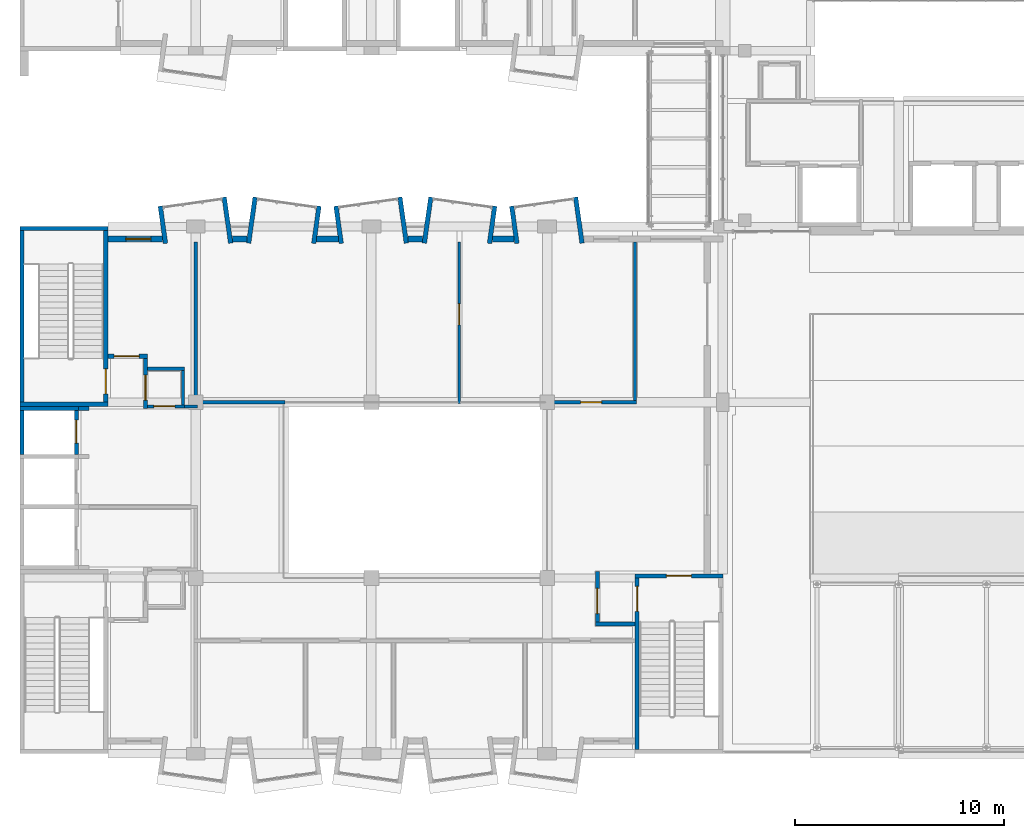
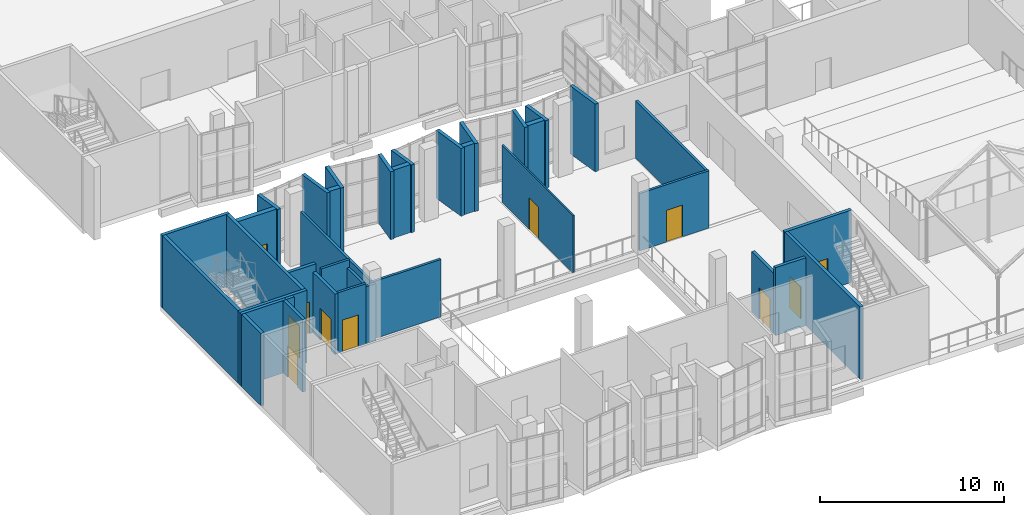
# One storey, part 42 of 67: 38 walls, 10 doors, 1 window, 11 openings.
"""IFC4 building model written with IfcOpenShell, lengths in metres."""

from ifc_helpers import new_model, si_unit, direction, frame, frame_2d, origin, place, context, subcontext, project, spatial, rectangle, extrude, material, layer, layer_set, type_object, element, fill, save


model = new_model("IFC4")

# Units and contexts
model_context = context("Model", 3, precision=1e-05, world=origin(), true_north=direction((0.0, 1.0)))
body_context = subcontext(model_context, "Body", "Model", "MODEL_VIEW")
ifc_project = project(units=[si_unit("LENGTHUNIT", "METRE"), si_unit("AREAUNIT", "SQUARE_METRE"), si_unit("VOLUMEUNIT", "CUBIC_METRE"), si_unit("PLANEANGLEUNIT", "RADIAN"), si_unit("MASSUNIT", "GRAM", prefix="KILO")], contexts=[model_context])

# Site, building, storey
site_placement = place(None, origin())
site = spatial("IfcSite", under=ifc_project, at=site_placement, CompositionType="ELEMENT")
building_placement = place(site_placement, origin())
building = spatial("IfcBuilding", under=site, at=building_placement, Name="Kiln Court Media Centre", CompositionType="ELEMENT")
storey_placement = place(building_placement, frame((0.0, 0.0, 19.800048828125)))
storey = spatial("IfcBuildingStorey", under=building, at=storey_placement, Name="L04", CompositionType="ELEMENT", Elevation=19.800048828125)

# Walls
ifc_material_1 = material(Name="Concrete block masonry M10", Category="masonry")
ifc_layer_1 = layer(ifc_material_1, 0.14990234375)
ifc_layer_set_1 = layer_set([ifc_layer_1], Name="Block riser wall 150 EI 120")
wall_type_1 = type_object("IfcWallType", Name="Block riser wall 150 EI 120", PredefinedType="SOLIDWALL", material=ifc_layer_set_1)
wall_1_placement = place(storey_placement, frame((7.875, 16.60009765625, 0.0), z_axis=(0.0, 0.0, 1.0), x_axis=(1.0, 0.0, 0.0)))
element("IfcWall", 1, at=wall_1_placement, inside=storey, type_object=wall_type_1, Name="L04 block riser wall", PredefinedType="SOLIDWALL", context=body_context, shape_type="SweptSolid", body=[
    extrude(rectangle(XDim=0.60009765625, YDim=0.14990234375, at=frame_2d((0.300048828125, 0.0))), origin(), (0.0, 0.0, 1.0), 3.800048828125),
])
wall_2_placement = place(storey_placement, frame((6.10009765625, 18.39990234375, 0.0), z_axis=(0.0, 0.0, 1.0), x_axis=(1.0, 0.0, 0.0)))
element("IfcWall", 2, at=wall_2_placement, inside=storey, type_object=wall_type_1, Name="L04 block riser wall", PredefinedType="SOLIDWALL", context=body_context, shape_type="SweptSolid", body=[
    extrude(rectangle(XDim=1.77490234375, YDim=0.14990234375, at=frame_2d((0.887451171875, 0.0))), origin(), (0.0, 0.0, 1.0), 4.5),
])
wall_3_placement = place(storey_placement, frame((7.800048828125, 16.675048828125, 0.0), z_axis=(0.0, 0.0, 1.0), x_axis=(0.0, 1.0, 0.0)))
element("IfcWall", 3, at=wall_3_placement, inside=storey, type_object=wall_type_1, Name="L04 block riser wall", PredefinedType="SOLIDWALL", context=body_context, shape_type="SweptSolid", body=[
    extrude(rectangle(XDim=1.64990234375, YDim=0.14990234375, at=frame_2d((0.824951171875, 0.0))), origin(), (0.0, 0.0, 1.0), 4.0),
])
wall_4_placement = place(storey_placement, frame((8.39990234375, 16.875, 0.0), z_axis=(0.0, 0.0, 1.0), x_axis=(0.0, 1.0, 0.0)))
element("IfcWall", 4, at=wall_4_placement, inside=storey, type_object=wall_type_1, Name="L04 block riser wall", PredefinedType="SOLIDWALL", context=body_context, shape_type="SweptSolid", body=[
    extrude(rectangle(XDim=7.574951171875, YDim=0.14990234375, at=frame_2d((3.78759765625, 0.0))), origin(), (0.0, 0.0, 1.0), 3.800048828125),
])
ifc_material_2 = material(Name="Concrete block masonry M10", Category="masonry")
ifc_layer_2 = layer(ifc_material_2, 0.199951171875)
ifc_layer_set_2 = layer_set([ifc_layer_2], Name="Block vestibule wall 200 EI 240")
wall_type_2 = type_object("IfcWallType", Name="Block vestibule wall 200 EI 240", PredefinedType="SOLIDWALL", material=ifc_layer_set_2)
wall_5_placement = place(storey_placement, frame((27.5, 6.199951171875, 0.0), z_axis=(0.0, 0.0, 1.0), x_axis=(1.0, 0.0, 0.0)))
element("IfcWall", 5, at=wall_5_placement, inside=storey, type_object=wall_type_2, Name="L04 block vestibule wall", PredefinedType="SOLIDWALL", context=body_context, shape_type="SweptSolid", body=[
    extrude(rectangle(XDim=1.89990234375, YDim=0.199951171875, at=frame_2d((0.949951171875, 0.0))), origin(), (0.0, 0.0, 1.0), 4.5),
])

# Wall, opening, door
wall_6_placement = place(storey_placement, frame((4.2001953125, 19.0, 0.0), z_axis=(0.0, 0.0, 1.0), x_axis=(1.0, 0.0, 0.0)))
wall_6 = element("IfcWall", 6, at=wall_6_placement, inside=storey, type_object=wall_type_2, Name="L04 block vestibule wall", PredefinedType="SOLIDWALL", context=body_context, shape_type="SweptSolid", body=[
    extrude(rectangle(XDim=1.89990234375, YDim=0.199951171875, at=frame_2d((0.949951171875, 0.0))), origin(), (0.0, 0.0, 1.0), 4.5),
])
opening_1_placement = place(wall_6_placement, frame((0.2998046875, 0.0, 0.0)))
opening_1 = element("IfcOpeningElement", 7, at=opening_1_placement, cuts=wall_6, Name="Opening D4021", PredefinedType="OPENING", context=body_context, shape_type="SweptSolid", body=[
    extrude(rectangle(XDim=1.199951171875, YDim=2.10009765625, at=frame_2d((0.60009765625, 1.050048828125))), frame((0.0, 0.10986328125, 0.0), z_axis=(0.0, -1.0, 0.0), x_axis=(1.0, 0.0, 0.0)), (0.0, 0.0, 1.0), 0.219970703125),
])
ifc_material_3 = material(Name="Steel S275", Category="steel")
door_type_1 = type_object("IfcDoorType", Name="Steel vestibule door 1200 x 2100 FD180", OperationType="SINGLE_SWING_LEFT", PredefinedType="DOOR", material=ifc_material_3)
door_1_placement = place(opening_1_placement, origin())
door_1 = element("IfcDoor", 8, at=door_1_placement, inside=storey, type_object=door_type_1, Name="Cleaners' Store and Riser / Stair 2 Vestibule", OperationType="SINGLE_SWING_LEFT", OverallHeight=2.10009765625, OverallWidth=1.199951171875, PredefinedType="DOOR", context=body_context, shape_type="SweptSolid", body=[
    extrude(rectangle(XDim=1.199951171875, YDim=2.10009765625, at=frame_2d((0.60009765625, 1.050048828125))), frame((0.0, 0.02490234375, 0.0), z_axis=(0.0, -1.0, 0.0), x_axis=(1.0, 0.0, 0.0)), (0.0, 0.0, 1.0), 0.050048828125),
])
fill(opening_1, door_1)

wall_7_placement = place(storey_placement, frame((6.0, 16.5, 0.0), z_axis=(0.0, 0.0, 1.0), x_axis=(0.0, 1.0, 0.0)))
wall_7 = element("IfcWall", 9, at=wall_7_placement, inside=storey, type_object=wall_type_2, Name="L04 block vestibule wall", PredefinedType="SOLIDWALL", context=body_context, shape_type="SweptSolid", body=[
    extrude(rectangle(XDim=2.39990234375, YDim=0.199951171875, at=frame_2d((1.199951171875, 0.0))), origin(), (0.0, 0.0, 1.0), 4.0),
])
opening_2_placement = place(wall_7_placement, frame((0.39990234375, 0.0, 0.0)))
opening_2 = element("IfcOpeningElement", 10, at=opening_2_placement, cuts=wall_7, Name="Opening D4022", PredefinedType="OPENING", context=body_context, shape_type="SweptSolid", body=[
    extrude(rectangle(XDim=1.199951171875, YDim=2.10009765625, at=frame_2d((0.60009765625, 1.050048828125))), frame((0.0, 0.10986328125, 0.0), z_axis=(0.0, -1.0, 0.0), x_axis=(1.0, 0.0, 0.0)), (0.0, 0.0, 1.0), 0.219970703125),
])
door_2_placement = place(opening_2_placement, origin())
door_2 = element("IfcDoor", 11, at=door_2_placement, inside=storey, type_object=door_type_1, Name="Stair 2 Vestibule / Wheelchair Refuge", OperationType="SINGLE_SWING_RIGHT", OverallHeight=2.10009765625, OverallWidth=1.199951171875, PredefinedType="DOOR", context=body_context, shape_type="SweptSolid", body=[
    extrude(rectangle(XDim=1.199951171875, YDim=2.10009765625, at=frame_2d((0.60009765625, 1.050048828125))), frame((0.0, 0.02490234375, 0.0), z_axis=(0.0, -1.0, 0.0), x_axis=(1.0, 0.0, 0.0)), (0.0, 0.0, 1.0), 0.050048828125),
])
fill(opening_2, door_2)

wall_8_placement = place(storey_placement, frame((27.60009765625, 6.300048828125, 0.0), z_axis=(0.0, 0.0, 1.0), x_axis=(0.0, 1.0, 0.0)))
wall_8 = element("IfcWall", 12, at=wall_8_placement, inside=storey, type_object=wall_type_2, Name="L04 block vestibule wall", PredefinedType="SOLIDWALL", context=body_context, shape_type="SweptSolid", body=[
    extrude(rectangle(XDim=2.39990234375, YDim=0.199951171875, at=frame_2d((1.199951171875, 0.0))), origin(), (0.0, 0.0, 1.0), 4.0),
])
opening_3_placement = place(wall_8_placement, frame((0.39990234375, 0.0, 0.0)))
opening_3 = element("IfcOpeningElement", 13, at=opening_3_placement, cuts=wall_8, Name="Opening D4017", PredefinedType="OPENING", context=body_context, shape_type="SweptSolid", body=[
    extrude(rectangle(XDim=1.199951171875, YDim=2.10009765625, at=frame_2d((0.60009765625, 1.050048828125))), frame((0.0, 0.10986328125, 0.0), z_axis=(0.0, -1.0, 0.0), x_axis=(1.0, 0.0, 0.0)), (0.0, 0.0, 1.0), 0.219970703125),
])
door_3_placement = place(opening_3_placement, origin())
door_3 = element("IfcDoor", 14, at=door_3_placement, inside=storey, type_object=door_type_1, Name="Atrium Gallery / Stair 3 Vestibule", OperationType="SINGLE_SWING_RIGHT", OverallHeight=2.10009765625, OverallWidth=1.199951171875, PredefinedType="DOOR", context=body_context, shape_type="SweptSolid", body=[
    extrude(rectangle(XDim=1.199951171875, YDim=2.10009765625, at=frame_2d((0.60009765625, 1.050048828125))), frame((0.0, 0.02490234375, 0.0), z_axis=(0.0, -1.0, 0.0), x_axis=(1.0, 0.0, 0.0)), (0.0, 0.0, 1.0), 0.050048828125),
])
fill(opening_3, door_3)

# Walls
ifc_material_4 = material(Name="Brick masonry facing leaf with RC backing", Category="masonry")
ifc_layer_3 = layer(ifc_material_4, 0.215087890625)
ifc_layer_set_3 = layer_set([ifc_layer_3], Name="Brick masonry bay cheek wall 215")
wall_type_3 = type_object("IfcWallType", Name="Brick masonry bay cheek wall 215", PredefinedType="SOLIDWALL", material=ifc_layer_set_3)
wall_9_placement = place(storey_placement, frame((6.9560546875, 24.39111328125, 0.0), z_axis=(0.0, 0.0, 1.0), x_axis=(-0.139161311926, 0.990269725511, 0.0)))
element("IfcWall", 15, at=wall_9_placement, inside=storey, type_object=wall_type_3, Name="BAY V6A-N-L04-24 cheek L", PredefinedType="SOLIDWALL", context=body_context, shape_type="SweptSolid", body=[
    extrude(rectangle(XDim=1.800048828125, YDim=0.215087890625, at=frame_2d((0.89990234375, 0.0))), origin(), (0.0, 0.0, 1.0), 4.5),
])
for number, where, z_axis, x_axis, name in (
    (16, (10.0693359375, 24.405029296875, 0.0), (0.0, 0.0, 1.0), (-0.139141913905, 0.990272451295, 0.0), "BAY V6A-N-L04-24 cheek R"),
    (17, (10.9306640625, 24.405029296875, 0.0), (0.0, 0.0, 1.0), (0.139141913905, 0.990272451295, 0.0), "BAY V6A-N-L04-25 cheek L"),
):
    element("IfcWall", number, at=place(storey_placement, frame(where, z_axis=z_axis, x_axis=x_axis)), inside=storey, type_object=wall_type_3, Name=name, PredefinedType="SOLIDWALL", context=body_context, shape_type="SweptSolid", body=[
        extrude(rectangle(XDim=2.219482421875, YDim=0.215087890625, at=frame_2d((1.10986328125, 0.0))), origin(), (0.0, 0.0, 1.0), 4.5),
    ])
for number, where, z_axis, x_axis, name in (
    (18, (14.0439453125, 24.39111328125, 0.0), (0.0, 0.0, 1.0), (0.139161311926, 0.990269725511, 0.0), "BAY V6A-N-L04-25 cheek R"),
    (19, (15.35595703125, 24.39111328125, 0.0), (0.0, 0.0, 1.0), (-0.139161311926, 0.990269725511, 0.0), "BAY V6A-N-L04-26 cheek L"),
):
    element("IfcWall", number, at=place(storey_placement, frame(where, z_axis=z_axis, x_axis=x_axis)), inside=storey, type_object=wall_type_3, Name=name, PredefinedType="SOLIDWALL", context=body_context, shape_type="SweptSolid", body=[
        extrude(rectangle(XDim=1.800048828125, YDim=0.215087890625, at=frame_2d((0.89990234375, 0.0))), origin(), (0.0, 0.0, 1.0), 4.5),
    ])
wall_10_placement = place(storey_placement, frame((18.469482421875, 24.405029296875, 0.0), z_axis=(0.0, 0.0, 1.0), x_axis=(-0.139249775508, 0.99025728981, 0.0)))
element("IfcWall", 20, at=wall_10_placement, inside=storey, type_object=wall_type_3, Name="BAY V6A-N-L04-26 cheek R", PredefinedType="SOLIDWALL", context=body_context, shape_type="SweptSolid", body=[
    extrude(rectangle(XDim=2.2197265625, YDim=0.215087890625, at=frame_2d((1.10986328125, 0.0))), origin(), (0.0, 0.0, 1.0), 4.5),
])
wall_11_placement = place(storey_placement, frame((19.33056640625, 24.405029296875, 0.0), z_axis=(0.0, 0.0, 1.0), x_axis=(0.139141913905, 0.990272451295, 0.0)))
element("IfcWall", 21, at=wall_11_placement, inside=storey, type_object=wall_type_3, Name="BAY V6A-N-L04-27 cheek L", PredefinedType="SOLIDWALL", context=body_context, shape_type="SweptSolid", body=[
    extrude(rectangle(XDim=2.219482421875, YDim=0.215087890625, at=frame_2d((1.10986328125, 0.0))), origin(), (0.0, 0.0, 1.0), 4.5),
])
for number, where, z_axis, x_axis, name in (
    (22, (22.444091796875, 24.39111328125, 0.0), (0.0, 0.0, 1.0), (0.139161311926, 0.990269725511, 0.0), "BAY V6A-N-L04-27 cheek R"),
    (23, (23.756103515625, 24.39111328125, 0.0), (0.0, 0.0, 1.0), (-0.139161311926, 0.990269725511, 0.0), "BAY V6A-N-L04-28 cheek L"),
):
    element("IfcWall", number, at=place(storey_placement, frame(where, z_axis=z_axis, x_axis=x_axis)), inside=storey, type_object=wall_type_3, Name=name, PredefinedType="SOLIDWALL", context=body_context, shape_type="SweptSolid", body=[
        extrude(rectangle(XDim=1.800048828125, YDim=0.215087890625, at=frame_2d((0.89990234375, 0.0))), origin(), (0.0, 0.0, 1.0), 4.5),
    ])
wall_12_placement = place(storey_placement, frame((26.869384765625, 24.405029296875, 0.0), z_axis=(0.0, 0.0, 1.0), x_axis=(-0.139141913905, 0.990272451295, 0.0)))
element("IfcWall", 24, at=wall_12_placement, inside=storey, type_object=wall_type_3, Name="BAY V6A-N-L04-28 cheek R", PredefinedType="SOLIDWALL", context=body_context, shape_type="SweptSolid", body=[
    extrude(rectangle(XDim=2.219482421875, YDim=0.215087890625, at=frame_2d((1.10986328125, 0.0))), origin(), (0.0, 0.0, 1.0), 4.5),
])

# Wall, opening, window
ifc_material_5 = material(Name="Brick masonry facing leaf with RC backing", Category="masonry")
ifc_layer_4 = layer(ifc_material_5, 0.300048828125)
ifc_layer_set_4 = layer_set([ifc_layer_4], Name="Brick masonry cavity wall 300")
wall_type_4 = type_object("IfcWallType", Name="Brick masonry cavity wall 300", PredefinedType="SOLIDWALL", material=ifc_layer_set_4)
wall_13_placement = place(storey_placement, frame((4.2001953125, 24.60009765625, 0.0), z_axis=(0.0, 0.0, 1.0), x_axis=(1.0, 0.0, 0.0)))
wall_13 = element("IfcWall", 25, at=wall_13_placement, inside=storey, type_object=wall_type_4, Name="V6A-N facade L04 3015", PredefinedType="SOLIDWALL", context=body_context, shape_type="SweptSolid", body=[
    extrude(rectangle(XDim=2.617919921875, YDim=0.300048828125, at=frame_2d((1.30908203125, 0.0))), origin(), (0.0, 0.0, 1.0), 4.5),
])
opening_4_placement = place(wall_13_placement, frame((0.85888671875, 0.0, 0.89990234375)))
opening_4 = element("IfcOpeningElement", 26, at=opening_4_placement, cuts=wall_13, Name="Opening WN4002", PredefinedType="OPENING", context=body_context, shape_type="SweptSolid", body=[
    extrude(rectangle(XDim=1.199951171875, YDim=1.5, at=frame_2d((0.60009765625, 0.75))), frame((0.0, 0.159912109375, 0.0), z_axis=(0.0, -1.0, 0.0), x_axis=(1.0, 0.0, 0.0)), (0.0, 0.0, 1.0), 0.320068359375),
])
ifc_material_6 = material(Name="Aluminium 6063-T6", Category="aluminium")
window_type = type_object("IfcWindowType", Name="Aluminium window 1200x1500", PartitioningType="DOUBLE_PANEL_VERTICAL", PredefinedType="WINDOW", material=ifc_material_6)
window_placement = place(opening_4_placement, origin())
window = element("IfcWindow", 27, at=window_placement, inside=storey, type_object=window_type, Name="WB window WN4002", OverallHeight=1.5, OverallWidth=1.199951171875, PartitioningType="SINGLE_PANEL", PredefinedType="WINDOW", context=body_context, shape_type="SweptSolid", body=[
    extrude(rectangle(XDim=1.199951171875, YDim=1.5, at=frame_2d((0.60009765625, 0.75))), frame((0.0, 0.030029296875, 0.0), z_axis=(0.0, -1.0, 0.0), x_axis=(1.0, 0.0, 0.0)), (0.0, 0.0, 1.0), 0.06005859375),
])
fill(opening_4, window)

# Walls
wall_14_placement = place(storey_placement, frame((10.150390625, 24.60009765625, 0.0), z_axis=(0.0, 0.0, 1.0), x_axis=(1.0, 0.0, 0.0)))
element("IfcWall", 28, at=wall_14_placement, inside=storey, type_object=wall_type_4, Name="V6A-N facade L04 3016", PredefinedType="SOLIDWALL", context=body_context, shape_type="SweptSolid", body=[
    extrude(rectangle(XDim=0.69921875, YDim=0.300048828125, at=frame_2d((0.349609375, 0.0))), origin(), (0.0, 0.0, 1.0), 4.5),
])
wall_15_placement = place(storey_placement, frame((14.181884765625, 24.60009765625, 0.0), z_axis=(0.0, 0.0, 1.0), x_axis=(1.0, 0.0, 0.0)))
element("IfcWall", 29, at=wall_15_placement, inside=storey, type_object=wall_type_4, Name="V6A-N facade L04 3017", PredefinedType="SOLIDWALL", context=body_context, shape_type="SweptSolid", body=[
    extrude(rectangle(XDim=1.0361328125, YDim=0.300048828125, at=frame_2d((0.51806640625, 0.0))), origin(), (0.0, 0.0, 1.0), 4.5),
])
wall_16_placement = place(storey_placement, frame((18.550537109375, 24.60009765625, 0.0), z_axis=(0.0, 0.0, 1.0), x_axis=(1.0, 0.0, 0.0)))
element("IfcWall", 30, at=wall_16_placement, inside=storey, type_object=wall_type_4, Name="V6A-N facade L04 3018", PredefinedType="SOLIDWALL", context=body_context, shape_type="SweptSolid", body=[
    extrude(rectangle(XDim=0.698974609375, YDim=0.300048828125, at=frame_2d((0.349609375, 0.0))), origin(), (0.0, 0.0, 1.0), 4.5),
])
wall_17_placement = place(storey_placement, frame((22.581787109375, 24.60009765625, 0.0), z_axis=(0.0, 0.0, 1.0), x_axis=(1.0, 0.0, 0.0)))
element("IfcWall", 31, at=wall_17_placement, inside=storey, type_object=wall_type_4, Name="V6A-N facade L04 3019", PredefinedType="SOLIDWALL", context=body_context, shape_type="SweptSolid", body=[
    extrude(rectangle(XDim=1.036376953125, YDim=0.300048828125, at=frame_2d((0.51806640625, 0.0))), origin(), (0.0, 0.0, 1.0), 4.5),
])
ifc_material_7 = material(Name="Concrete C40/50", Category="concrete")
ifc_layer_5 = layer(ifc_material_7, 0.199951171875)
ifc_layer_set_5 = layer_set([ifc_layer_5], Name="Concrete C40/50 shear wall 200")
wall_type_5 = type_object("IfcWallType", Name="Concrete C40/50 shear wall 200", PredefinedType="SHEAR", material=ifc_layer_set_5)
for number, where, z_axis, x_axis, name in (
    (32, (4.199951171875, 16.699951171875, 0.0), (0.0, 0.0, 1.0), (-1.0, 0.0, 0.0), "L04-W-1004"),
    (33, (0.00048828125, 25.10009765625, 0.0), (0.0, 0.0, 1.0), (1.0, 0.0, 0.0), "L04-W-1005"),
):
    element("IfcWall", number, at=place(storey_placement, frame(where, z_axis=z_axis, x_axis=x_axis)), inside=storey, type_object=wall_type_5, Name=name, PredefinedType="SHEAR", context=body_context, shape_type="SweptSolid", body=[
        extrude(rectangle(XDim=4.199462890625, YDim=0.199951171875, at=frame_2d((2.099609375, 0.0))), origin(), (0.0, 0.0, 1.0), 4.800048828125),
    ])
wall_18_placement = place(storey_placement, frame((0.100341796875, 16.800048828125, 0.0), z_axis=(0.0, 0.0, 1.0), x_axis=(0.0, 1.0, 0.0)))
element("IfcWall", 34, at=wall_18_placement, inside=storey, type_object=wall_type_5, Name="L04-W-1006", PredefinedType="SHEAR", context=body_context, shape_type="SweptSolid", body=[
    extrude(rectangle(XDim=8.199951171875, YDim=0.199951171875, at=frame_2d((4.10009765625, 0.0))), origin(), (0.0, 0.0, 1.0), 4.800048828125),
])

# Wall, opening, door
wall_19_placement = place(storey_placement, frame((4.10009765625, 25.0, 0.0), z_axis=(0.0, 0.0, 1.0), x_axis=(0.0, -1.0, 0.0)))
wall_19 = element("IfcWall", 35, at=wall_19_placement, inside=storey, type_object=wall_type_5, Name="L04-W-1007", PredefinedType="SHEAR", context=body_context, shape_type="SweptSolid", body=[
    extrude(rectangle(XDim=8.199951171875, YDim=0.199951171875, at=frame_2d((4.10009765625, 0.0))), origin(), (0.0, 0.0, 1.0), 4.800048828125),
])
opening_5_placement = place(wall_19_placement, frame((6.60009765625, 0.0, 0.0)))
opening_5 = element("IfcOpeningElement", 36, at=opening_5_placement, cuts=wall_19, Name="Opening D4010", PredefinedType="OPENING", context=body_context, shape_type="SweptSolid", body=[
    extrude(rectangle(XDim=1.199951171875, YDim=2.10009765625, at=frame_2d((0.60009765625, 1.050048828125))), frame((0.0, 0.10986328125, 0.0), z_axis=(0.0, -1.0, 0.0), x_axis=(1.0, 0.0, 0.0)), (0.0, 0.0, 1.0), 0.219970703125),
])
ifc_material_8 = material(Name="Steel S275", Category="steel")
door_type_2 = type_object("IfcDoorType", Name="Steel stair door 1200 x 2100 FD180", OperationType="SINGLE_SWING_LEFT", PredefinedType="DOOR", material=ifc_material_8)
door_4_placement = place(opening_5_placement, origin())
door_4 = element("IfcDoor", 37, at=door_4_placement, inside=storey, type_object=door_type_2, Name="Stair 2 / Stair 2 Vestibule", OperationType="SINGLE_SWING_RIGHT", OverallHeight=2.10009765625, OverallWidth=1.199951171875, PredefinedType="DOOR", context=body_context, shape_type="SweptSolid", body=[
    extrude(rectangle(XDim=1.199951171875, YDim=2.10009765625, at=frame_2d((0.60009765625, 1.050048828125))), frame((0.0, 0.02490234375, 0.0), z_axis=(0.0, -1.0, 0.0), x_axis=(1.0, 0.0, 0.0)), (0.0, 0.0, 1.0), 0.050048828125),
])
fill(opening_5, door_4)

wall_20_placement = place(storey_placement, frame((29.39990234375, 8.5, 0.0), z_axis=(0.0, 0.0, 1.0), x_axis=(1.0, 0.0, 0.0)))
wall_20 = element("IfcWall", 38, at=wall_20_placement, inside=storey, type_object=wall_type_5, Name="L04-W-1009", PredefinedType="SHEAR", context=body_context, shape_type="SweptSolid", body=[
    extrude(rectangle(XDim=4.2001953125, YDim=0.199951171875, at=frame_2d((2.10009765625, 0.0))), origin(), (0.0, 0.0, 1.0), 4.800048828125),
])
opening_6_placement = place(wall_20_placement, frame((1.5, 0.0, 0.0)))
opening_6 = element("IfcOpeningElement", 39, at=opening_6_placement, cuts=wall_20, Name="Opening D4009", PredefinedType="OPENING", context=body_context, shape_type="SweptSolid", body=[
    extrude(rectangle(XDim=1.199951171875, YDim=2.10009765625, at=frame_2d((0.60009765625, 1.050048828125))), frame((0.0, 0.10986328125, 0.0), z_axis=(0.0, -1.0, 0.0), x_axis=(1.0, 0.0, 0.0)), (0.0, 0.0, 1.0), 0.219970703125),
])
door_5_placement = place(opening_6_placement, origin())
door_5 = element("IfcDoor", 40, at=door_5_placement, inside=storey, type_object=door_type_2, Name="Stair 3 / East Lobby", OperationType="SINGLE_SWING_RIGHT", OverallHeight=2.10009765625, OverallWidth=1.199951171875, PredefinedType="DOOR", context=body_context, shape_type="SweptSolid", body=[
    extrude(rectangle(XDim=1.199951171875, YDim=2.10009765625, at=frame_2d((0.60009765625, 1.050048828125))), frame((0.0, 0.02490234375, 0.0), z_axis=(0.0, -1.0, 0.0), x_axis=(1.0, 0.0, 0.0)), (0.0, 0.0, 1.0), 0.050048828125),
])
fill(opening_6, door_5)

wall_21_placement = place(storey_placement, frame((29.5, 0.199951171875, 0.0), z_axis=(0.0, 0.0, 1.0), x_axis=(0.0, 1.0, 0.0)))
wall_21 = element("IfcWall", 41, at=wall_21_placement, inside=storey, type_object=wall_type_5, Name="L04-W-1010", PredefinedType="SHEAR", context=body_context, shape_type="SweptSolid", body=[
    extrude(rectangle(XDim=8.199951171875, YDim=0.199951171875, at=frame_2d((4.10009765625, 0.0))), origin(), (0.0, 0.0, 1.0), 4.800048828125),
])
opening_7_placement = place(wall_21_placement, frame((6.60009765625, 0.0, 0.0)))
opening_7 = element("IfcOpeningElement", 42, at=opening_7_placement, cuts=wall_21, Name="Opening D4008", PredefinedType="OPENING", context=body_context, shape_type="SweptSolid", body=[
    extrude(rectangle(XDim=1.199951171875, YDim=2.10009765625, at=frame_2d((0.60009765625, 1.050048828125))), frame((0.0, 0.10986328125, 0.0), z_axis=(0.0, -1.0, 0.0), x_axis=(1.0, 0.0, 0.0)), (0.0, 0.0, 1.0), 0.219970703125),
])
door_6_placement = place(opening_7_placement, origin())
door_6 = element("IfcDoor", 43, at=door_6_placement, inside=storey, type_object=door_type_2, Name="Stair 3 / Stair 3 Vestibule", OperationType="SINGLE_SWING_RIGHT", OverallHeight=2.10009765625, OverallWidth=1.199951171875, PredefinedType="DOOR", context=body_context, shape_type="SweptSolid", body=[
    extrude(rectangle(XDim=1.199951171875, YDim=2.10009765625, at=frame_2d((0.60009765625, 1.050048828125))), frame((0.0, 0.02490234375, 0.0), z_axis=(0.0, -1.0, 0.0), x_axis=(1.0, 0.0, 0.0)), (0.0, 0.0, 1.0), 0.050048828125),
])
fill(opening_7, door_6)

# Walls
wall_22_placement = place(storey_placement, frame((0.00048828125, 16.5, 0.0), z_axis=(0.0, 0.0, 1.0), x_axis=(1.0, 0.0, 0.0)))
element("IfcWall", 44, at=wall_22_placement, inside=storey, type_object=wall_type_5, Name="L04-W-1041", PredefinedType="SHEAR", context=body_context, shape_type="SweptSolid", body=[
    extrude(rectangle(XDim=2.799560546875, YDim=0.199951171875, at=frame_2d((1.39990234375, 0.0))), origin(), (0.0, 0.0, 1.0), 4.800048828125),
])
wall_23_placement = place(storey_placement, frame((0.100341796875, 14.300048828125, 0.0), z_axis=(0.0, 0.0, 1.0), x_axis=(0.0, 1.0, 0.0)))
element("IfcWall", 45, at=wall_23_placement, inside=storey, type_object=wall_type_5, Name="L04-W-1042", PredefinedType="SHEAR", context=body_context, shape_type="SweptSolid", body=[
    extrude(rectangle(XDim=2.099853515625, YDim=0.199951171875, at=frame_2d((1.0498046875, 0.0))), origin(), (0.0, 0.0, 1.0), 4.800048828125),
])

# Wall, opening, door
wall_24_placement = place(storey_placement, frame((2.699951171875, 16.39990234375, 0.0), z_axis=(0.0, 0.0, 1.0), x_axis=(0.0, -1.0, 0.0)))
wall_24 = element("IfcWall", 46, at=wall_24_placement, inside=storey, type_object=wall_type_5, Name="L04-W-1043", PredefinedType="SHEAR", context=body_context, shape_type="SweptSolid", body=[
    extrude(rectangle(XDim=2.099853515625, YDim=0.199951171875, at=frame_2d((1.0498046875, 0.0))), origin(), (0.0, 0.0, 1.0), 4.800048828125),
])
opening_8_placement = place(wall_24_placement, frame((0.449951171875, 0.0, 0.0)))
opening_8 = element("IfcOpeningElement", 47, at=opening_8_placement, cuts=wall_24, Name="Opening LD403", PredefinedType="OPENING", context=body_context, shape_type="SweptSolid", body=[
    extrude(rectangle(XDim=1.10009765625, YDim=2.10009765625, at=frame_2d((0.550048828125, 1.050048828125))), frame((0.0, 0.10986328125, 0.0), z_axis=(0.0, -1.0, 0.0), x_axis=(1.0, 0.0, 0.0)), (0.0, 0.0, 1.0), 0.219970703125),
])
ifc_material_9 = material(Name="Stainless steel", Category="steel")
door_type_3 = type_object("IfcDoorType", Name="Lift landing door 1100 x 2100 FD120", OperationType="SLIDING_TO_LEFT", PredefinedType="DOOR", material=ifc_material_9)
door_7_placement = place(opening_8_placement, origin())
door_7 = element("IfcDoor", 48, at=door_7_placement, inside=storey, type_object=door_type_3, Name="LF-03 landing door L04", OperationType="SLIDING_TO_LEFT", OverallHeight=2.10009765625, OverallWidth=1.10009765625, PredefinedType="DOOR", context=body_context, shape_type="SweptSolid", body=[
    extrude(rectangle(XDim=1.10009765625, YDim=2.10009765625, at=frame_2d((0.550048828125, 1.050048828125))), frame((0.0, 0.02490234375, 0.0), z_axis=(0.0, -1.0, 0.0), x_axis=(1.0, 0.0, 0.0)), (0.0, 0.0, 1.0), 0.050048828125),
])
fill(opening_8, door_7)

# Wall
wall_25_placement = place(storey_placement, frame((2.800048828125, 16.5, 0.0), z_axis=(0.0, 0.0, 1.0), x_axis=(1.0, 0.0, 0.0)))
element("IfcWall", 49, at=wall_25_placement, inside=storey, type_object=wall_type_5, Name="L04-W-1113", PredefinedType="SHEAR", context=body_context, shape_type="SweptSolid", body=[
    extrude(rectangle(XDim=0.5, YDim=0.199951171875, at=frame_2d((0.25, 0.0))), origin(), (0.0, 0.0, 1.0), 4.800048828125),
])

# Wall, opening, door
ifc_material_10 = material(Name="Gypsum plasterboard", Category="gypsum")
ifc_layer_6 = layer(ifc_material_10, 0.14990234375)
ifc_layer_set_6 = layer_set([ifc_layer_6], Name="Gypsum corridor partition 150 EI 60")
wall_type_6 = type_object("IfcWallType", Name="Gypsum corridor partition 150 EI 60", PredefinedType="PARTITIONING", material=ifc_layer_set_6)
wall_26_placement = place(storey_placement, frame((6.10009765625, 16.60009765625, 0.0), z_axis=(0.0, 0.0, 1.0), x_axis=(1.0, 0.0, 0.0)))
wall_26 = element("IfcWall", 50, at=wall_26_placement, inside=storey, type_object=wall_type_6, Name="L04 gypsum corridor partition", PredefinedType="PARTITIONING", context=body_context, shape_type="SweptSolid", body=[
    extrude(rectangle(XDim=1.77490234375, YDim=0.14990234375, at=frame_2d((0.887451171875, 0.0))), origin(), (0.0, 0.0, 1.0), 4.0),
])
opening_9_placement = place(wall_26_placement, frame((0.300048828125, 0.0, 0.0)))
opening_9 = element("IfcOpeningElement", 51, at=opening_9_placement, cuts=wall_26, Name="Opening D4033", PredefinedType="OPENING", context=body_context, shape_type="SweptSolid", body=[
    extrude(rectangle(XDim=1.0, YDim=2.10009765625, at=frame_2d((0.5, 1.050048828125))), frame((0.0, 0.0849609375, 0.0), z_axis=(0.0, -1.0, 0.0), x_axis=(1.0, 0.0, 0.0)), (0.0, 0.0, 1.0), 0.169921875),
])
ifc_material_11 = material(Name="Steel S275", Category="steel")
door_type_4 = type_object("IfcDoorType", Name="Steel corridor door 1000 x 2100 FD30S", OperationType="SINGLE_SWING_LEFT", PredefinedType="DOOR", material=ifc_material_11)
door_8_placement = place(opening_9_placement, origin())
door_8 = element("IfcDoor", 52, at=door_8_placement, inside=storey, type_object=door_type_4, Name="Passenger Lift Lobby / Wheelchair Refuge", OperationType="SINGLE_SWING_RIGHT", OverallHeight=2.10009765625, OverallWidth=1.0, PredefinedType="DOOR", context=body_context, shape_type="SweptSolid", body=[
    extrude(rectangle(XDim=1.0, YDim=2.10009765625, at=frame_2d((0.5, 1.050048828125))), frame((0.0, 0.02490234375, 0.0), z_axis=(0.0, -1.0, 0.0), x_axis=(1.0, 0.0, 0.0)), (0.0, 0.0, 1.0), 0.050048828125),
])
fill(opening_9, door_8)

# Wall
wall_27_placement = place(storey_placement, frame((8.324951171875, 16.800048828125, 0.0), z_axis=(0.0, 0.0, 1.0), x_axis=(1.0, 0.0, 0.0)))
element("IfcWall", 53, at=wall_27_placement, inside=storey, type_object=wall_type_6, Name="L04 gypsum corridor partition", PredefinedType="PARTITIONING", context=body_context, shape_type="SweptSolid", body=[
    extrude(rectangle(XDim=4.35009765625, YDim=0.14990234375, at=frame_2d((2.175048828125, 0.0))), origin(), (0.0, 0.0, 1.0), 3.800048828125),
])

# Wall, opening, door
wall_28_placement = place(storey_placement, frame((25.125, 16.800048828125, 0.0), z_axis=(0.0, 0.0, 1.0), x_axis=(1.0, 0.0, 0.0)))
wall_28 = element("IfcWall", 54, at=wall_28_placement, inside=storey, type_object=wall_type_6, Name="L04 gypsum corridor partition", PredefinedType="PARTITIONING", context=body_context, shape_type="SweptSolid", body=[
    extrude(rectangle(XDim=4.35009765625, YDim=0.14990234375, at=frame_2d((2.175048828125, 0.0))), origin(), (0.0, 0.0, 1.0), 3.800048828125),
])
opening_10_placement = place(wall_28_placement, frame((1.675048828125, 0.0, 0.0)))
opening_10 = element("IfcOpeningElement", 55, at=opening_10_placement, cuts=wall_28, Name="Opening D4020", PredefinedType="OPENING", context=body_context, shape_type="SweptSolid", body=[
    extrude(rectangle(XDim=1.0, YDim=2.10009765625, at=frame_2d((0.5, 1.050048828125))), frame((0.0, 0.0849609375, 0.0), z_axis=(0.0, -1.0, 0.0), x_axis=(1.0, 0.0, 0.0)), (0.0, 0.0, 1.0), 0.169921875),
])
door_9_placement = place(opening_10_placement, origin())
door_9 = element("IfcDoor", 56, at=door_9_placement, inside=storey, type_object=door_type_4, Name="East Lobby / Colour Grading Suite", OperationType="SINGLE_SWING_LEFT", OverallHeight=2.10009765625, OverallWidth=1.0, PredefinedType="DOOR", context=body_context, shape_type="SweptSolid", body=[
    extrude(rectangle(XDim=1.0, YDim=2.10009765625, at=frame_2d((0.5, 1.050048828125))), frame((0.0, 0.02490234375, 0.0), z_axis=(0.0, -1.0, 0.0), x_axis=(1.0, 0.0, 0.0)), (0.0, 0.0, 1.0), 0.050048828125),
])
fill(opening_10, door_9)

# Wall
wall_29_placement = place(storey_placement, frame((29.39990234375, 16.875, 0.0), z_axis=(0.0, 0.0, 1.0), x_axis=(0.0, 1.0, 0.0)))
element("IfcWall", 57, at=wall_29_placement, inside=storey, type_object=wall_type_6, Name="L04 gypsum corridor partition", PredefinedType="PARTITIONING", context=body_context, shape_type="SweptSolid", body=[
    extrude(rectangle(XDim=7.574951171875, YDim=0.14990234375, at=frame_2d((3.78759765625, 0.0))), origin(), (0.0, 0.0, 1.0), 3.800048828125),
])

# Wall, opening, door
ifc_material_12 = material(Name="Gypsum plasterboard", Category="gypsum")
ifc_layer_7 = layer(ifc_material_12, 0.10009765625)
ifc_layer_set_7 = layer_set([ifc_layer_7], Name="Gypsum stud partition 100")
wall_type_7 = type_object("IfcWallType", Name="Gypsum stud partition 100", PredefinedType="PARTITIONING", material=ifc_layer_set_7)
wall_30_placement = place(storey_placement, frame((21.0, 16.75, 0.0), z_axis=(0.0, 0.0, 1.0), x_axis=(0.0, 1.0, 0.0)))
wall_30 = element("IfcWall", 58, at=wall_30_placement, inside=storey, type_object=wall_type_7, Name="L04 gypsum stud partition", PredefinedType="PARTITIONING", context=body_context, shape_type="SweptSolid", body=[
    extrude(rectangle(XDim=7.699951171875, YDim=0.10009765625, at=frame_2d((3.85009765625, 0.0))), origin(), (0.0, 0.0, 1.0), 3.800048828125),
])
opening_11_placement = place(wall_30_placement, frame((3.75, 0.0, 0.0)))
opening_11 = element("IfcOpeningElement", 59, at=opening_11_placement, cuts=wall_30, Name="Opening D4034", PredefinedType="OPENING", context=body_context, shape_type="SweptSolid", body=[
    extrude(rectangle(XDim=1.0, YDim=2.10009765625, at=frame_2d((0.5, 1.050048828125))), frame((0.0, 0.06005859375, 0.0), z_axis=(0.0, -1.0, 0.0), x_axis=(1.0, 0.0, 0.0)), (0.0, 0.0, 1.0), 0.1201171875),
])
ifc_material_13 = material(Name="Timber", Category="wood")
door_type_5 = type_object("IfcDoorType", Name="Timber door 1000 x 2100", OperationType="SINGLE_SWING_LEFT", PredefinedType="DOOR", material=ifc_material_13)
door_10_placement = place(opening_11_placement, origin())
door_10 = element("IfcDoor", 60, at=door_10_placement, inside=storey, type_object=door_type_5, Name="Post-production Hall / Colour Grading Suite", OperationType="SINGLE_SWING_RIGHT", OverallHeight=2.10009765625, OverallWidth=1.0, PredefinedType="DOOR", context=body_context, shape_type="SweptSolid", body=[
    extrude(rectangle(XDim=1.0, YDim=2.10009765625, at=frame_2d((0.5, 1.050048828125))), frame((0.0, 0.02490234375, 0.0), z_axis=(0.0, -1.0, 0.0), x_axis=(1.0, 0.0, 0.0)), (0.0, 0.0, 1.0), 0.050048828125),
])
fill(opening_11, door_10)

save(model, "model.ifc")
